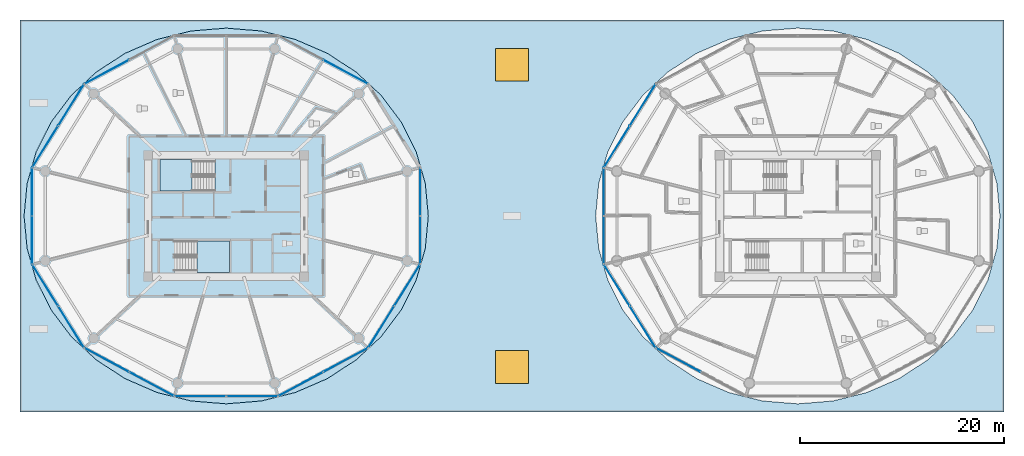
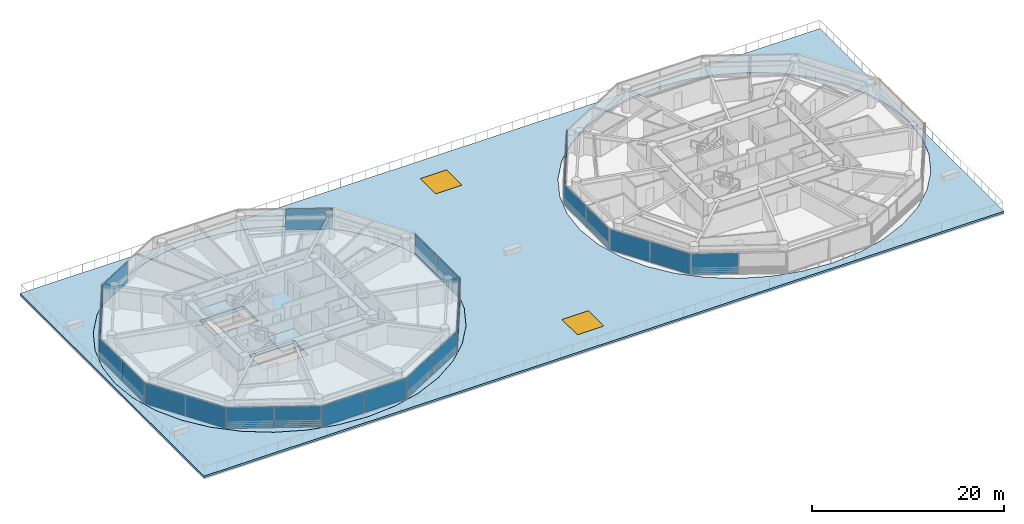
# One storey, part 13 of 32: 25 plates, 4 slabs, 2 windows, 2 openings, 16 elements without a shape of their own.
"""IFC4 building model written with IfcOpenShell, lengths in metres."""

from ifc_helpers import new_model, si_unit, direction, frame, origin, origin_2d, place, context, subcontext, project, spatial, polyline, rectangle, outline, extrude, source, transform, mapped, material, layer, layer_set, type_object, type_shapes, element, fill, aggregate, save


model = new_model("IFC4")

# Units and contexts
model_context = context("Model", 3, precision=1e-05, world=origin(), true_north=direction((0.0, 1.0)))
body_context = subcontext(model_context, "Body", "Model", "MODEL_VIEW")
ifc_project = project(units=[si_unit("LENGTHUNIT", "METRE"), si_unit("AREAUNIT", "SQUARE_METRE"), si_unit("VOLUMEUNIT", "CUBIC_METRE"), si_unit("PLANEANGLEUNIT", "RADIAN"), si_unit("MASSUNIT", "GRAM", prefix="KILO")], contexts=[model_context])

# Site, building, storey
site_placement = place(None, origin())
site = spatial("IfcSite", under=ifc_project, at=site_placement, CompositionType="ELEMENT")
building_placement = place(site_placement, origin())
building = spatial("IfcBuilding", under=site, at=building_placement, Name="Norrkilde Senior Care Towers", CompositionType="ELEMENT")
storey_placement = place(building_placement, frame((0.0, 0.0, 21.60009765625)))
storey = spatial("IfcBuildingStorey", under=building, at=storey_placement, Name="L05", CompositionType="ELEMENT", Elevation=21.60009765625)

# Slab, openings, windows
ifc_material_1 = material(Name="Concrete C45/55", Category="concrete")
ifc_layer_1 = layer(ifc_material_1, 0.22998046875)
ifc_layer_set_1 = layer_set([ifc_layer_1], Name="Concrete C45/55")
slab_type_1 = type_object("IfcSlabType", Name="Cascading Garden Terrace Slab 230", PredefinedType="FLOOR", material=ifc_layer_set_1)
slab_1_placement = place(storey_placement, frame((0.0, 0.0, -0.22998046875)))
slab_1 = element("IfcSlab", 1, at=slab_1_placement, inside=storey, type_object=slab_type_1, Name="L05 Podium Sky-Portal Rehabilitation Garden Terrace 1", PredefinedType="FLOOR", context=body_context, shape_type="SweptSolid", body=[
    extrude(outline(polyline([(-48.199951171875, -19.199951171875), (-48.199951171875, 19.199951171875), (48.199951171875, 19.199951171875), (48.199951171875, -19.199951171875), (-48.199951171875, -19.199951171875)]), holes=[polyline([(-8.49609375, -3.196533203125), (-8.495849609375, -3.196044921875), (-8.495849609375, -3.195556640625), (-8.195068359375, -0.00048828125), (-8.195068359375, 0.0), (-8.195068359375, 0.00048828125), (-8.495849609375, 3.195556640625), (-8.495849609375, 3.196044921875), (-8.49609375, 3.196533203125), (-9.38916015625, 6.294677734375), (-9.389404296875, 6.294921875), (-9.3896484375, 6.29541015625), (-10.84814453125, 9.2021484375), (-10.848388671875, 9.20263671875), (-10.8486328125, 9.203125), (-12.828369140625, 11.830322265625), (-12.82861328125, 11.83056640625), (-12.828857421875, 11.8310546875), (-15.269287109375, 14.098876953125), (-15.269775390625, 14.09912109375), (-15.27001953125, 14.099365234375), (-18.09716796875, 15.93896484375), (-18.09765625, 15.939208984375), (-18.097900390625, 15.939453125), (-21.22607421875, 17.294921875), (-21.226318359375, 17.295166015625), (-21.226806640625, 17.295166015625), (-24.560546875, 18.125244140625), (-24.56103515625, 18.12548828125), (-24.561279296875, 18.12548828125), (-27.99951171875, 18.405029296875), (-28.0, 18.405029296875), (-28.00048828125, 18.405029296875), (-31.438720703125, 18.12548828125), (-31.43896484375, 18.12548828125), (-31.439453125, 18.125244140625), (-34.773193359375, 17.295166015625), (-34.773681640625, 17.295166015625), (-34.77392578125, 17.294921875), (-37.902099609375, 15.939453125), (-37.90234375, 15.939208984375), (-37.90283203125, 15.93896484375), (-40.72998046875, 14.099365234375), (-40.730224609375, 14.09912109375), (-40.730712890625, 14.098876953125), (-43.171142578125, 11.8310546875), (-43.17138671875, 11.83056640625), (-43.171630859375, 11.830322265625), (-45.1513671875, 9.203125), (-45.151611328125, 9.20263671875), (-45.15185546875, 9.2021484375), (-46.6103515625, 6.29541015625), (-46.610595703125, 6.294921875), (-46.61083984375, 6.294677734375), (-47.50390625, 3.196533203125), (-47.504150390625, 3.196044921875), (-47.504150390625, 3.195556640625), (-47.804931640625, 0.00048828125), (-47.804931640625, 0.0), (-47.804931640625, -0.00048828125), (-47.504150390625, -3.195556640625), (-47.504150390625, -3.196044921875), (-47.50390625, -3.196533203125), (-46.61083984375, -6.294677734375), (-46.610595703125, -6.294921875), (-46.6103515625, -6.29541015625), (-45.15185546875, -9.2021484375), (-45.151611328125, -9.20263671875), (-45.1513671875, -9.203125), (-43.171630859375, -11.830322265625), (-43.17138671875, -11.83056640625), (-43.171142578125, -11.8310546875), (-40.730712890625, -14.098876953125), (-40.730224609375, -14.09912109375), (-40.72998046875, -14.099365234375), (-37.90283203125, -15.93896484375), (-37.90234375, -15.939208984375), (-37.902099609375, -15.939453125), (-34.77392578125, -17.294921875), (-34.773681640625, -17.295166015625), (-34.773193359375, -17.295166015625), (-31.439453125, -18.125244140625), (-31.43896484375, -18.12548828125), (-31.438720703125, -18.12548828125), (-28.00048828125, -18.405029296875), (-28.0, -18.405029296875), (-27.99951171875, -18.405029296875), (-24.561279296875, -18.12548828125), (-24.56103515625, -18.12548828125), (-24.560546875, -18.125244140625), (-21.226806640625, -17.295166015625), (-21.226318359375, -17.295166015625), (-21.22607421875, -17.294921875), (-18.097900390625, -15.939453125), (-18.09765625, -15.939208984375), (-18.09716796875, -15.93896484375), (-15.27001953125, -14.099365234375), (-15.269775390625, -14.09912109375), (-15.269287109375, -14.098876953125), (-12.828857421875, -11.8310546875), (-12.82861328125, -11.83056640625), (-12.828369140625, -11.830322265625), (-10.8486328125, -9.203125), (-10.848388671875, -9.20263671875), (-10.84814453125, -9.2021484375), (-9.3896484375, -6.29541015625), (-9.389404296875, -6.294921875), (-9.38916015625, -6.294677734375), (-8.49609375, -3.196533203125)]), polyline([(47.50390625, -3.196533203125), (47.504150390625, -3.196044921875), (47.504150390625, -3.195556640625), (47.804931640625, -0.00048828125), (47.804931640625, 0.0), (47.804931640625, 0.00048828125), (47.504150390625, 3.195556640625), (47.504150390625, 3.196044921875), (47.50390625, 3.196533203125), (46.61083984375, 6.294677734375), (46.610595703125, 6.294921875), (46.6103515625, 6.29541015625), (45.15185546875, 9.2021484375), (45.151611328125, 9.20263671875), (45.1513671875, 9.203125), (43.171630859375, 11.830322265625), (43.17138671875, 11.83056640625), (43.171142578125, 11.8310546875), (40.730712890625, 14.098876953125), (40.730224609375, 14.09912109375), (40.72998046875, 14.099365234375), (37.90283203125, 15.93896484375), (37.90234375, 15.939208984375), (37.902099609375, 15.939453125), (34.77392578125, 17.294921875), (34.773681640625, 17.295166015625), (34.773193359375, 17.295166015625), (31.439453125, 18.125244140625), (31.43896484375, 18.12548828125), (31.438720703125, 18.12548828125), (28.00048828125, 18.405029296875), (28.0, 18.405029296875), (27.99951171875, 18.405029296875), (24.561279296875, 18.12548828125), (24.56103515625, 18.12548828125), (24.560546875, 18.125244140625), (21.226806640625, 17.295166015625), (21.226318359375, 17.295166015625), (21.22607421875, 17.294921875), (18.097900390625, 15.939453125), (18.09765625, 15.939208984375), (18.09716796875, 15.93896484375), (15.27001953125, 14.099365234375), (15.269775390625, 14.09912109375), (15.269287109375, 14.098876953125), (12.828857421875, 11.8310546875), (12.82861328125, 11.83056640625), (12.828369140625, 11.830322265625), (10.8486328125, 9.203125), (10.848388671875, 9.20263671875), (10.84814453125, 9.2021484375), (9.3896484375, 6.29541015625), (9.389404296875, 6.294921875), (9.38916015625, 6.294677734375), (8.49609375, 3.196533203125), (8.495849609375, 3.196044921875), (8.495849609375, 3.195556640625), (8.195068359375, 0.00048828125), (8.195068359375, 0.0), (8.195068359375, -0.00048828125), (8.495849609375, -3.195556640625), (8.495849609375, -3.196044921875), (8.49609375, -3.196533203125), (9.38916015625, -6.294677734375), (9.389404296875, -6.294921875), (9.3896484375, -6.29541015625), (10.84814453125, -9.2021484375), (10.848388671875, -9.20263671875), (10.8486328125, -9.203125), (12.828369140625, -11.830322265625), (12.82861328125, -11.83056640625), (12.828857421875, -11.8310546875), (15.269287109375, -14.098876953125), (15.269775390625, -14.09912109375), (15.27001953125, -14.099365234375), (18.09716796875, -15.93896484375), (18.09765625, -15.939208984375), (18.097900390625, -15.939453125), (21.22607421875, -17.294921875), (21.226318359375, -17.295166015625), (21.226806640625, -17.295166015625), (24.560546875, -18.125244140625), (24.56103515625, -18.12548828125), (24.561279296875, -18.12548828125), (27.99951171875, -18.405029296875), (28.0, -18.405029296875), (28.00048828125, -18.405029296875), (31.438720703125, -18.12548828125), (31.43896484375, -18.12548828125), (31.439453125, -18.125244140625), (34.773193359375, -17.295166015625), (34.773681640625, -17.295166015625), (34.77392578125, -17.294921875), (37.902099609375, -15.939453125), (37.90234375, -15.939208984375), (37.90283203125, -15.93896484375), (40.72998046875, -14.099365234375), (40.730224609375, -14.09912109375), (40.730712890625, -14.098876953125), (43.171142578125, -11.8310546875), (43.17138671875, -11.83056640625), (43.171630859375, -11.830322265625), (45.1513671875, -9.203125), (45.151611328125, -9.20263671875), (45.15185546875, -9.2021484375), (46.6103515625, -6.29541015625), (46.610595703125, -6.294921875), (46.61083984375, -6.294677734375), (47.50390625, -3.196533203125)])]), origin(), (0.0, 0.0, 1.0), 0.22998046875),
])
opening_1_placement = place(slab_1_placement, frame((0.0, -14.800048828125, -0.010009765625)))
opening_1 = element("IfcOpeningElement", 2, at=opening_1_placement, cuts=slab_1, Name="Opening SK-01", PredefinedType="OPENING", context=body_context, shape_type="SweptSolid", body=[
    extrude(rectangle(XDim=3.199951171875, YDim=3.199951171875, at=origin_2d()), origin(), (0.0, 0.0, 1.0), 0.25),
])
opening_2_placement = place(slab_1_placement, frame((0.0, 14.800048828125, -0.010009765625)))
opening_2 = element("IfcOpeningElement", 3, at=opening_2_placement, cuts=slab_1, Name="Opening SK-01", PredefinedType="OPENING", context=body_context, shape_type="SweptSolid", body=[
    extrude(rectangle(XDim=3.199951171875, YDim=3.199951171875, at=origin_2d()), origin(), (0.0, 0.0, 1.0), 0.25),
])
ifc_material_2 = material(Name="Triple Low-E Insulated Glazing", Category="glass")
window_type = type_object("IfcWindowType", Name="Podium Garden Skylight 3200x3200", PartitioningType="SINGLE_PANEL", PredefinedType="SKYLIGHT", material=ifc_material_2)
window_1_placement = place(slab_1_placement, frame((0.0, -14.800048828125, 0.179931640625)))
window_1 = element("IfcWindow", 4, at=window_1_placement, inside=storey, type_object=window_type, Name="L05 Roof Daylighting Skylight 01", OverallHeight=3.199951171875, OverallWidth=3.199951171875, PartitioningType="SINGLE_PANEL", PredefinedType="SKYLIGHT", context=body_context, shape_type="SweptSolid", body=[
    extrude(rectangle(XDim=3.199951171875, YDim=3.199951171875, at=origin_2d()), origin(), (0.0, 0.0, 1.0), 0.050048828125),
])
fill(opening_1, window_1)
window_2_placement = place(slab_1_placement, frame((0.0, 14.800048828125, 0.179931640625)))
window_2 = element("IfcWindow", 5, at=window_2_placement, inside=storey, type_object=window_type, Name="L05 Roof Daylighting Skylight 02", OverallHeight=3.199951171875, OverallWidth=3.199951171875, PartitioningType="SINGLE_PANEL", PredefinedType="SKYLIGHT", context=body_context, shape_type="SweptSolid", body=[
    extrude(rectangle(XDim=3.199951171875, YDim=3.199951171875, at=origin_2d()), origin(), (0.0, 0.0, 1.0), 0.050048828125),
])
fill(opening_2, window_2)

# Stair, slab
stair_type = type_object("IfcStairType", Name="Core Protected Dogleg Stair Typical 3050", PredefinedType="HALF_TURN_STAIR", material=ifc_material_1)
stair_1_placement = place(storey_placement, origin())
stair_1 = element("IfcStair", 6, at=stair_1_placement, inside=storey, type_object=stair_type, Name="L05 Protected Core Stair W1", PredefinedType="HALF_TURN_STAIR")
ifc_layer_2 = layer(ifc_material_1, 0.199951171875)
ifc_layer_set_2 = layer_set([ifc_layer_2], Name="Concrete C45/55")
slab_type_2 = type_object("IfcSlabType", Name="Stair Landing Slab 200", PredefinedType="LANDING", material=ifc_layer_set_2)
slab_2_placement = place(storey_placement, frame((0.0, 0.0, 1.324951171875)))
slab_2 = element("IfcSlab", 7, at=slab_2_placement, type_object=slab_type_2, Name="ST-W1 landing 1", PredefinedType="LANDING", context=body_context, shape_type="SweptSolid", body=[
    extrude(outline(polyline([(-31.340087890625, 5.52490234375), (-34.5, 5.52490234375), (-34.5, 2.449951171875), (-31.340087890625, 2.449951171875), (-31.340087890625, 5.52490234375)])), origin(), (0.0, 0.0, 1.0), 0.199951171875),
])
aggregate(stair_1, [slab_2])

stair_2_placement = place(storey_placement, origin())
stair_2 = element("IfcStair", 8, at=stair_2_placement, inside=storey, type_object=stair_type, Name="L05 Protected Core Stair W2", PredefinedType="HALF_TURN_STAIR")
slab_3_placement = place(storey_placement, frame((0.0, 0.0, 1.324951171875)))
slab_3 = element("IfcSlab", 9, at=slab_3_placement, type_object=slab_type_2, Name="ST-W2 landing 1", PredefinedType="LANDING", context=body_context, shape_type="SweptSolid", body=[
    extrude(outline(polyline([(-30.860107421875, -5.52490234375), (-27.699951171875, -5.52490234375), (-27.699951171875, -2.449951171875), (-30.860107421875, -2.449951171875), (-30.860107421875, -5.52490234375)])), origin(), (0.0, 0.0, 1.0), 0.199951171875),
])
aggregate(stair_2, [slab_3])

# Slab
ifc_material_3 = material(Name="Concrete C60/75", Category="concrete")
ifc_layer_3 = layer(ifc_material_3, 0.419921875)
ifc_layer_set_3 = layer_set([ifc_layer_3], Name="Concrete C60/75")
slab_type_3 = type_object("IfcSlabType", Name="Transfer Deck Slab 420", PredefinedType="FLOOR", material=ifc_layer_set_3)
slab_4_placement = place(storey_placement, frame((0.0, 0.0, -0.420166015625)))
element("IfcSlab", 10, at=slab_4_placement, inside=storey, type_object=slab_type_3, Name="L05 Drum W Structural Floor Slab", PredefinedType="FLOOR", context=body_context, shape_type="SweptSolid", body=[
    extrude(outline(polyline([(-9.39404296875, -6.293212890625), (-10.852783203125, -9.199951171875), (-12.832275390625, -11.827392578125), (-15.272705078125, -14.09521484375), (-18.10009765625, -15.934814453125), (-21.22802734375, -17.290283203125), (-24.561767578125, -18.120361328125), (-28.0, -18.39990234375), (-31.438232421875, -18.120361328125), (-34.77197265625, -17.290283203125), (-37.89990234375, -15.934814453125), (-40.727294921875, -14.09521484375), (-43.167724609375, -11.827392578125), (-45.147216796875, -9.199951171875), (-46.60595703125, -6.293212890625), (-47.499267578125, -3.195068359375), (-47.800048828125, 0.0), (-47.499267578125, 3.195068359375), (-46.60595703125, 6.293212890625), (-45.147216796875, 9.199951171875), (-43.167724609375, 11.827392578125), (-40.727294921875, 14.09521484375), (-37.89990234375, 15.934814453125), (-34.77197265625, 17.290283203125), (-31.438232421875, 18.120361328125), (-28.0, 18.39990234375), (-24.561767578125, 18.120361328125), (-21.22802734375, 17.290283203125), (-18.10009765625, 15.934814453125), (-15.272705078125, 14.09521484375), (-12.832275390625, 11.827392578125), (-10.852783203125, 9.199951171875), (-9.39404296875, 6.293212890625), (-8.500732421875, 3.195068359375), (-8.199951171875, 0.0), (-8.500732421875, -3.195068359375), (-9.39404296875, -6.293212890625)]), holes=[polyline([(-34.48193359375, 2.468017578125), (-29.117919921875, 2.468017578125), (-29.117919921875, 5.52490234375), (-34.48193359375, 5.52490234375), (-34.48193359375, 2.468017578125)]), polyline([(-27.718017578125, -5.52490234375), (-27.718017578125, -2.468017578125), (-33.08203125, -2.468017578125), (-33.08203125, -5.52490234375), (-27.718017578125, -5.52490234375)])]), origin(), (0.0, 0.0, 1.0), 0.420166015625),
])

# Curtain wall, plate
ifc_layer_4 = layer(ifc_material_2, 0.199951171875)
ifc_layer_set_4 = layer_set([ifc_layer_4], Name="Triple Low-E Insulated Glazing")
curtain_wall_type = type_object("IfcCurtainWallType", Name="CW2 Zone 1 Memory Care Curtain Wall", PredefinedType="NOTDEFINED", material=ifc_layer_set_4)
curtain_wall_1_placement = place(storey_placement, origin())
curtain_wall_1 = element("IfcCurtainWall", 11, at=curtain_wall_1_placement, inside=storey, type_object=curtain_wall_type, Name="L05 Drum W Curtain Wall 01", PredefinedType="NOTDEFINED")
ifc_layer_5 = layer(ifc_material_2, 0.035888671875)
ifc_layer_set_5 = layer_set([ifc_layer_5], Name="Triple Low-E Insulated Glazing")
plate_type = type_object("IfcPlateType", Name="Triple Low-E Vision Curtain Panel 36", PredefinedType="CURTAIN_PANEL", material=ifc_layer_set_5)
shared_shape_1 = source(origin(), body_context, "Body", "SweptSolid", [
    extrude(rectangle(XDim=4.907958984375, YDim=0.035888671875, at=origin_2d()), origin(), (0.0, 0.0, 1.0), 2.669921875),
])
plate_1_placement = place(storey_placement, frame((-16.303955078125, 14.116455078125, 0.06005859375), z_axis=(0.0, 0.0, 1.0), x_axis=(0.881272866403, -0.472607802456, 0.0)))
plate_1 = element("IfcPlate", 12, at=plate_1_placement, type_object=plate_type, Name="CW-2 panel 2.1", PredefinedType="CURTAIN_PANEL", context=body_context, shape_type="MappedRepresentation", body=[
    mapped(shared_shape_1, transform((0.0, 0.0, 0.0), x_axis=(1.0, 0.0, 0.0), y_axis=(0.0, 1.0, 0.0), z_axis=(0.0, 0.0, 1.0), scale=1.0)),
])
aggregate(curtain_wall_1, [plate_1])

curtain_wall_2_placement = place(storey_placement, origin())
curtain_wall_2 = element("IfcCurtainWall", 13, at=curtain_wall_2_placement, inside=storey, type_object=curtain_wall_type, Name="L05 Drum W Curtain Wall 03", PredefinedType="NOTDEFINED")
plate_2_placement = place(storey_placement, frame((-39.696044921875, 14.116455078125, 0.06005859375), z_axis=(0.0, 0.0, 1.0), x_axis=(0.881272866403, 0.472607802456, 0.0)))
plate_2 = element("IfcPlate", 14, at=plate_2_placement, type_object=plate_type, Name="CW-2 panel 1.1", PredefinedType="CURTAIN_PANEL", context=body_context, shape_type="MappedRepresentation", body=[
    mapped(shared_shape_1, transform((0.0, 0.0, 0.0), x_axis=(1.0, 0.0, 0.0), y_axis=(0.0, 1.0, 0.0), z_axis=(0.0, 0.0, 1.0), scale=1.0)),
])
aggregate(curtain_wall_2, [plate_2])

# Curtain wall, plates
curtain_wall_3_placement = place(storey_placement, origin())
curtain_wall_3 = element("IfcCurtainWall", 15, at=curtain_wall_3_placement, inside=storey, type_object=curtain_wall_type, Name="L05 Drum W Curtain Wall 07", PredefinedType="NOTDEFINED")
plate_3_placement = place(storey_placement, frame((-35.3134765625, -16.466552734375, 0.06005859375), z_axis=(0.0, 0.0, 1.0), x_axis=(-0.881272866403, 0.472607802456, 0.0)))
plate_3 = element("IfcPlate", 16, at=plate_3_placement, type_object=plate_type, Name="CW-2 panel 1.1", PredefinedType="CURTAIN_PANEL", context=body_context, shape_type="MappedRepresentation", body=[
    mapped(shared_shape_1, transform((0.0, 0.0, 0.0), x_axis=(1.0, 0.0, 0.0), y_axis=(0.0, 1.0, 0.0), z_axis=(0.0, 0.0, 1.0), scale=1.0)),
])
plate_4_placement = place(storey_placement, frame((-39.696044921875, -14.116455078125, 0.06005859375), z_axis=(0.0, 0.0, 1.0), x_axis=(-0.881272866403, 0.472607802456, 0.0)))
plate_4 = element("IfcPlate", 17, at=plate_4_placement, type_object=plate_type, Name="CW-2 panel 2.1", PredefinedType="CURTAIN_PANEL", context=body_context, shape_type="MappedRepresentation", body=[
    mapped(shared_shape_1, transform((0.0, 0.0, 0.0), x_axis=(1.0, 0.0, 0.0), y_axis=(0.0, 1.0, 0.0), z_axis=(0.0, 0.0, 1.0), scale=1.0)),
])
aggregate(curtain_wall_3, [plate_3, plate_4])

curtain_wall_4_placement = place(storey_placement, origin())
curtain_wall_4 = element("IfcCurtainWall", 18, at=curtain_wall_4_placement, inside=storey, type_object=curtain_wall_type, Name="L05 Drum W Curtain Wall 09", PredefinedType="NOTDEFINED")
plate_5_placement = place(storey_placement, frame((-16.303955078125, -14.116455078125, 0.06005859375), z_axis=(0.0, 0.0, 1.0), x_axis=(-0.881272866403, -0.472607802456, 0.0)))
plate_5 = element("IfcPlate", 19, at=plate_5_placement, type_object=plate_type, Name="CW-2 panel 1.1", PredefinedType="CURTAIN_PANEL", context=body_context, shape_type="MappedRepresentation", body=[
    mapped(shared_shape_1, transform((0.0, 0.0, 0.0), x_axis=(1.0, 0.0, 0.0), y_axis=(0.0, 1.0, 0.0), z_axis=(0.0, 0.0, 1.0), scale=1.0)),
])
plate_6_placement = place(storey_placement, frame((-20.6865234375, -16.466552734375, 0.06005859375), z_axis=(0.0, 0.0, 1.0), x_axis=(-0.881272866403, -0.472607802456, 0.0)))
plate_6 = element("IfcPlate", 20, at=plate_6_placement, type_object=plate_type, Name="CW-2 panel 2.1", PredefinedType="CURTAIN_PANEL", context=body_context, shape_type="MappedRepresentation", body=[
    mapped(shared_shape_1, transform((0.0, 0.0, 0.0), x_axis=(1.0, 0.0, 0.0), y_axis=(0.0, 1.0, 0.0), z_axis=(0.0, 0.0, 1.0), scale=1.0)),
])
aggregate(curtain_wall_4, [plate_5, plate_6])

# Curtain wall, plate
curtain_wall_5_placement = place(storey_placement, origin())
curtain_wall_5 = element("IfcCurtainWall", 21, at=curtain_wall_5_placement, inside=storey, type_object=curtain_wall_type, Name="L05 Drum E Curtain Wall 07", PredefinedType="NOTDEFINED")
plate_7_placement = place(storey_placement, frame((16.303955078125, -14.116455078125, 0.06005859375), z_axis=(0.0, 0.0, 1.0), x_axis=(-0.881272866403, 0.472607802456, 0.0)))
plate_7 = element("IfcPlate", 22, at=plate_7_placement, type_object=plate_type, Name="CW-2 panel 2.1", PredefinedType="CURTAIN_PANEL", context=body_context, shape_type="MappedRepresentation", body=[
    mapped(shared_shape_1, transform((0.0, 0.0, 0.0), x_axis=(1.0, 0.0, 0.0), y_axis=(0.0, 1.0, 0.0), z_axis=(0.0, 0.0, 1.0), scale=1.0)),
])
aggregate(curtain_wall_5, [plate_7])

# Curtain wall, plates
curtain_wall_6_placement = place(storey_placement, origin())
curtain_wall_6 = element("IfcCurtainWall", 23, at=curtain_wall_6_placement, inside=storey, type_object=curtain_wall_type, Name="L05 Drum W Curtain Wall 08", PredefinedType="NOTDEFINED")
shared_shape_2 = source(origin(), body_context, "Body", "SweptSolid", [
    extrude(rectangle(XDim=4.99609375, YDim=0.035888671875, at=origin_2d()), origin(), (0.0, 0.0, 1.0), 2.669921875),
])
plate_8_placement = place(storey_placement, frame((-25.469482421875, -17.6572265625, 0.06005859375), z_axis=(0.0, 0.0, 1.0), x_axis=(-1.0, 0.0, 0.0)))
plate_8 = element("IfcPlate", 24, at=plate_8_placement, type_object=plate_type, Name="CW-2 panel 1.1", PredefinedType="CURTAIN_PANEL", context=body_context, shape_type="MappedRepresentation", body=[
    mapped(shared_shape_2, transform((0.0, 0.0, 0.0), x_axis=(1.0, 0.0, 0.0), y_axis=(0.0, 1.0, 0.0), z_axis=(0.0, 0.0, 1.0), scale=1.0)),
])
plate_9_placement = place(storey_placement, frame((-30.530517578125, -17.6572265625, 0.06005859375), z_axis=(0.0, 0.0, 1.0), x_axis=(-1.0, 0.0, 0.0)))
plate_9 = element("IfcPlate", 25, at=plate_9_placement, type_object=plate_type, Name="CW-2 panel 2.1", PredefinedType="CURTAIN_PANEL", context=body_context, shape_type="MappedRepresentation", body=[
    mapped(shared_shape_2, transform((0.0, 0.0, 0.0), x_axis=(1.0, 0.0, 0.0), y_axis=(0.0, 1.0, 0.0), z_axis=(0.0, 0.0, 1.0), scale=1.0)),
])
aggregate(curtain_wall_6, [plate_8, plate_9])

curtain_wall_7_placement = place(storey_placement, origin())
curtain_wall_7 = element("IfcCurtainWall", 26, at=curtain_wall_7_placement, inside=storey, type_object=curtain_wall_type, Name="L05 Drum W Curtain Wall 04", PredefinedType="NOTDEFINED")
shared_shape_3 = source(origin(), body_context, "Body", "SweptSolid", [
    extrude(rectangle(XDim=4.726806640625, YDim=0.035888671875, at=origin_2d()), origin(), (0.0, 0.0, 1.0), 2.669921875),
])
plate_10_placement = place(storey_placement, frame((-45.7275390625, 6.793701171875, 0.06005859375), z_axis=(0.0, 0.0, 1.0), x_axis=(0.527900951871, 0.849305943117, 0.0)))
plate_10 = element("IfcPlate", 27, at=plate_10_placement, type_object=plate_type, Name="CW-2 panel 1.1", PredefinedType="CURTAIN_PANEL", context=body_context, shape_type="MappedRepresentation", body=[
    mapped(shared_shape_3, transform((0.0, 0.0, 0.0), x_axis=(1.0, 0.0, 0.0), y_axis=(0.0, 1.0, 0.0), z_axis=(0.0, 0.0, 1.0), scale=1.0)),
])
plate_11_placement = place(storey_placement, frame((-43.19775390625, 10.863525390625, 0.06005859375), z_axis=(0.0, 0.0, 1.0), x_axis=(0.527900951871, 0.849305943117, 0.0)))
plate_11 = element("IfcPlate", 28, at=plate_11_placement, type_object=plate_type, Name="CW-2 panel 2.1", PredefinedType="CURTAIN_PANEL", context=body_context, shape_type="MappedRepresentation", body=[
    mapped(shared_shape_3, transform((0.0, 0.0, 0.0), x_axis=(1.0, 0.0, 0.0), y_axis=(0.0, 1.0, 0.0), z_axis=(0.0, 0.0, 1.0), scale=1.0)),
])
aggregate(curtain_wall_7, [plate_10, plate_11])

curtain_wall_8_placement = place(storey_placement, origin())
curtain_wall_8 = element("IfcCurtainWall", 29, at=curtain_wall_8_placement, inside=storey, type_object=curtain_wall_type, Name="L05 Drum W Curtain Wall 06", PredefinedType="NOTDEFINED")
plate_12_placement = place(storey_placement, frame((-43.19775390625, -10.863525390625, 0.06005859375), z_axis=(0.0, 0.0, 1.0), x_axis=(-0.527900951871, 0.849305943117, 0.0)))
plate_12 = element("IfcPlate", 30, at=plate_12_placement, type_object=plate_type, Name="CW-2 panel 1.1", PredefinedType="CURTAIN_PANEL", context=body_context, shape_type="MappedRepresentation", body=[
    mapped(shared_shape_3, transform((0.0, 0.0, 0.0), x_axis=(1.0, 0.0, 0.0), y_axis=(0.0, 1.0, 0.0), z_axis=(0.0, 0.0, 1.0), scale=1.0)),
])
plate_13_placement = place(storey_placement, frame((-45.7275390625, -6.793701171875, 0.06005859375), z_axis=(0.0, 0.0, 1.0), x_axis=(-0.527900951871, 0.849305943117, 0.0)))
plate_13 = element("IfcPlate", 31, at=plate_13_placement, type_object=plate_type, Name="CW-2 panel 2.1", PredefinedType="CURTAIN_PANEL", context=body_context, shape_type="MappedRepresentation", body=[
    mapped(shared_shape_3, transform((0.0, 0.0, 0.0), x_axis=(1.0, 0.0, 0.0), y_axis=(0.0, 1.0, 0.0), z_axis=(0.0, 0.0, 1.0), scale=1.0)),
])
aggregate(curtain_wall_8, [plate_12, plate_13])

curtain_wall_9_placement = place(storey_placement, origin())
curtain_wall_9 = element("IfcCurtainWall", 32, at=curtain_wall_9_placement, inside=storey, type_object=curtain_wall_type, Name="L05 Drum W Curtain Wall 10", PredefinedType="NOTDEFINED")
plate_14_placement = place(storey_placement, frame((-10.2724609375, -6.793701171875, 0.06005859375), z_axis=(0.0, 0.0, 1.0), x_axis=(-0.527900951871, -0.849305943117, 0.0)))
plate_14 = element("IfcPlate", 33, at=plate_14_placement, type_object=plate_type, Name="CW-2 panel 1.1", PredefinedType="CURTAIN_PANEL", context=body_context, shape_type="MappedRepresentation", body=[
    mapped(shared_shape_3, transform((0.0, 0.0, 0.0), x_axis=(1.0, 0.0, 0.0), y_axis=(0.0, 1.0, 0.0), z_axis=(0.0, 0.0, 1.0), scale=1.0)),
])
plate_15_placement = place(storey_placement, frame((-12.80224609375, -10.863525390625, 0.06005859375), z_axis=(0.0, 0.0, 1.0), x_axis=(-0.527900951871, -0.849305943117, 0.0)))
plate_15 = element("IfcPlate", 34, at=plate_15_placement, type_object=plate_type, Name="CW-2 panel 2.1", PredefinedType="CURTAIN_PANEL", context=body_context, shape_type="MappedRepresentation", body=[
    mapped(shared_shape_3, transform((0.0, 0.0, 0.0), x_axis=(1.0, 0.0, 0.0), y_axis=(0.0, 1.0, 0.0), z_axis=(0.0, 0.0, 1.0), scale=1.0)),
])
aggregate(curtain_wall_9, [plate_14, plate_15])

curtain_wall_10_placement = place(storey_placement, origin())
curtain_wall_10 = element("IfcCurtainWall", 35, at=curtain_wall_10_placement, inside=storey, type_object=curtain_wall_type, Name="L05 Drum E Curtain Wall 04", PredefinedType="NOTDEFINED")
plate_16_placement = place(storey_placement, frame((10.2724609375, 6.793701171875, 0.06005859375), z_axis=(0.0, 0.0, 1.0), x_axis=(0.527900951871, 0.849305943117, 0.0)))
plate_16 = element("IfcPlate", 36, at=plate_16_placement, type_object=plate_type, Name="CW-2 panel 1.1", PredefinedType="CURTAIN_PANEL", context=body_context, shape_type="MappedRepresentation", body=[
    mapped(shared_shape_3, transform((0.0, 0.0, 0.0), x_axis=(1.0, 0.0, 0.0), y_axis=(0.0, 1.0, 0.0), z_axis=(0.0, 0.0, 1.0), scale=1.0)),
])
plate_17_placement = place(storey_placement, frame((12.80224609375, 10.863525390625, 0.06005859375), z_axis=(0.0, 0.0, 1.0), x_axis=(0.527900951871, 0.849305943117, 0.0)))
plate_17 = element("IfcPlate", 37, at=plate_17_placement, type_object=plate_type, Name="CW-2 panel 2.1", PredefinedType="CURTAIN_PANEL", context=body_context, shape_type="MappedRepresentation", body=[
    mapped(shared_shape_3, transform((0.0, 0.0, 0.0), x_axis=(1.0, 0.0, 0.0), y_axis=(0.0, 1.0, 0.0), z_axis=(0.0, 0.0, 1.0), scale=1.0)),
])
aggregate(curtain_wall_10, [plate_16, plate_17])

curtain_wall_11_placement = place(storey_placement, origin())
curtain_wall_11 = element("IfcCurtainWall", 38, at=curtain_wall_11_placement, inside=storey, type_object=curtain_wall_type, Name="L05 Drum E Curtain Wall 06", PredefinedType="NOTDEFINED")
plate_18_placement = place(storey_placement, frame((12.80224609375, -10.863525390625, 0.06005859375), z_axis=(0.0, 0.0, 1.0), x_axis=(-0.527900951871, 0.849305943117, 0.0)))
plate_18 = element("IfcPlate", 39, at=plate_18_placement, type_object=plate_type, Name="CW-2 panel 1.1", PredefinedType="CURTAIN_PANEL", context=body_context, shape_type="MappedRepresentation", body=[
    mapped(shared_shape_3, transform((0.0, 0.0, 0.0), x_axis=(1.0, 0.0, 0.0), y_axis=(0.0, 1.0, 0.0), z_axis=(0.0, 0.0, 1.0), scale=1.0)),
])
plate_19_placement = place(storey_placement, frame((10.2724609375, -6.793701171875, 0.06005859375), z_axis=(0.0, 0.0, 1.0), x_axis=(-0.527900951871, 0.849305943117, 0.0)))
plate_19 = element("IfcPlate", 40, at=plate_19_placement, type_object=plate_type, Name="CW-2 panel 2.1", PredefinedType="CURTAIN_PANEL", context=body_context, shape_type="MappedRepresentation", body=[
    mapped(shared_shape_3, transform((0.0, 0.0, 0.0), x_axis=(1.0, 0.0, 0.0), y_axis=(0.0, 1.0, 0.0), z_axis=(0.0, 0.0, 1.0), scale=1.0)),
])
aggregate(curtain_wall_11, [plate_18, plate_19])

curtain_wall_12_placement = place(storey_placement, origin())
curtain_wall_12 = element("IfcCurtainWall", 41, at=curtain_wall_12_placement, inside=storey, type_object=curtain_wall_type, Name="L05 Drum W Curtain Wall 05", PredefinedType="NOTDEFINED")
shared_shape_4 = source(origin(), body_context, "Body", "SweptSolid", [
    extrude(rectangle(XDim=4.6337890625, YDim=0.035888671875, at=origin_2d()), origin(), (0.0, 0.0, 1.0), 2.669921875),
])
type_shapes(plate_type, [shared_shape_1, shared_shape_2, shared_shape_3, shared_shape_4])
plate_20_placement = place(storey_placement, frame((-47.009521484375, -2.349365234375, 0.06005859375), z_axis=(0.0, 0.0, 1.0), x_axis=(0.0, 1.0, 0.0)))
plate_20 = element("IfcPlate", 42, at=plate_20_placement, type_object=plate_type, Name="CW-2 panel 1.1", PredefinedType="CURTAIN_PANEL", context=body_context, shape_type="MappedRepresentation", body=[
    mapped(shared_shape_4, transform((0.0, 0.0, 0.0), x_axis=(1.0, 0.0, 0.0), y_axis=(0.0, 1.0, 0.0), z_axis=(0.0, 0.0, 1.0), scale=1.0)),
])
plate_21_placement = place(storey_placement, frame((-47.009521484375, 2.349365234375, 0.06005859375), z_axis=(0.0, 0.0, 1.0), x_axis=(0.0, 1.0, 0.0)))
plate_21 = element("IfcPlate", 43, at=plate_21_placement, type_object=plate_type, Name="CW-2 panel 2.1", PredefinedType="CURTAIN_PANEL", context=body_context, shape_type="MappedRepresentation", body=[
    mapped(shared_shape_4, transform((0.0, 0.0, 0.0), x_axis=(1.0, 0.0, 0.0), y_axis=(0.0, 1.0, 0.0), z_axis=(0.0, 0.0, 1.0), scale=1.0)),
])
aggregate(curtain_wall_12, [plate_20, plate_21])

curtain_wall_13_placement = place(storey_placement, origin())
curtain_wall_13 = element("IfcCurtainWall", 44, at=curtain_wall_13_placement, inside=storey, type_object=curtain_wall_type, Name="L05 Drum W Curtain Wall 11", PredefinedType="NOTDEFINED")
plate_22_placement = place(storey_placement, frame((-8.990478515625, 2.349365234375, 0.06005859375), z_axis=(0.0, 0.0, 1.0), x_axis=(0.0, -1.0, 0.0)))
plate_22 = element("IfcPlate", 45, at=plate_22_placement, type_object=plate_type, Name="CW-2 panel 1.1", PredefinedType="CURTAIN_PANEL", context=body_context, shape_type="MappedRepresentation", body=[
    mapped(shared_shape_4, transform((0.0, 0.0, 0.0), x_axis=(1.0, 0.0, 0.0), y_axis=(0.0, 1.0, 0.0), z_axis=(0.0, 0.0, 1.0), scale=1.0)),
])
plate_23_placement = place(storey_placement, frame((-8.990478515625, -2.349365234375, 0.06005859375), z_axis=(0.0, 0.0, 1.0), x_axis=(0.0, -1.0, 0.0)))
plate_23 = element("IfcPlate", 46, at=plate_23_placement, type_object=plate_type, Name="CW-2 panel 2.1", PredefinedType="CURTAIN_PANEL", context=body_context, shape_type="MappedRepresentation", body=[
    mapped(shared_shape_4, transform((0.0, 0.0, 0.0), x_axis=(1.0, 0.0, 0.0), y_axis=(0.0, 1.0, 0.0), z_axis=(0.0, 0.0, 1.0), scale=1.0)),
])
aggregate(curtain_wall_13, [plate_22, plate_23])

curtain_wall_14_placement = place(storey_placement, origin())
curtain_wall_14 = element("IfcCurtainWall", 47, at=curtain_wall_14_placement, inside=storey, type_object=curtain_wall_type, Name="L05 Drum E Curtain Wall 05", PredefinedType="NOTDEFINED")
plate_24_placement = place(storey_placement, frame((8.990478515625, -2.349365234375, 0.06005859375), z_axis=(0.0, 0.0, 1.0), x_axis=(0.0, 1.0, 0.0)))
plate_24 = element("IfcPlate", 48, at=plate_24_placement, type_object=plate_type, Name="CW-2 panel 1.1", PredefinedType="CURTAIN_PANEL", context=body_context, shape_type="MappedRepresentation", body=[
    mapped(shared_shape_4, transform((0.0, 0.0, 0.0), x_axis=(1.0, 0.0, 0.0), y_axis=(0.0, 1.0, 0.0), z_axis=(0.0, 0.0, 1.0), scale=1.0)),
])
plate_25_placement = place(storey_placement, frame((8.990478515625, 2.349365234375, 0.06005859375), z_axis=(0.0, 0.0, 1.0), x_axis=(0.0, 1.0, 0.0)))
plate_25 = element("IfcPlate", 49, at=plate_25_placement, type_object=plate_type, Name="CW-2 panel 2.1", PredefinedType="CURTAIN_PANEL", context=body_context, shape_type="MappedRepresentation", body=[
    mapped(shared_shape_4, transform((0.0, 0.0, 0.0), x_axis=(1.0, 0.0, 0.0), y_axis=(0.0, 1.0, 0.0), z_axis=(0.0, 0.0, 1.0), scale=1.0)),
])
aggregate(curtain_wall_14, [plate_24, plate_25])

save(model, "model.ifc")
